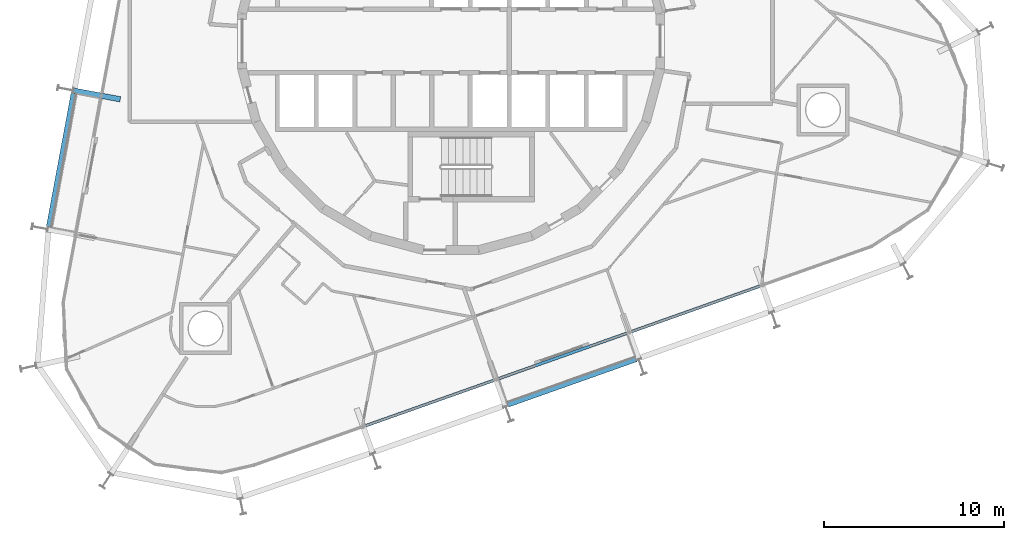
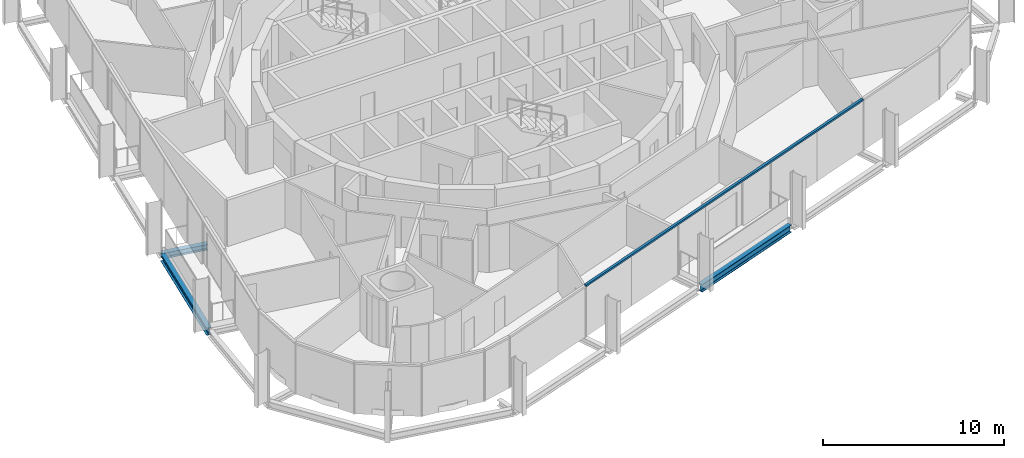
# One storey, part 3 of 17: 3 beams, 1 member, 1 element without a shape of its own.
"""IFC4 building model written with IfcOpenShell, lengths in metres."""

from ifc_helpers import new_model, si_unit, direction, frame, origin, origin_2d, place, context, subcontext, project, spatial, rectangle, i_section, extrude, material, layer, layer_set, material_profile, profile_set, type_object, element, aggregate, save


model = new_model("IFC4")

# Units and contexts
model_context = context("Model", 3, precision=1e-05, world=origin(), true_north=direction((0.0, 1.0)))
body_context = subcontext(model_context, "Body", "Model", "MODEL_VIEW")
ifc_project = project(units=[si_unit("LENGTHUNIT", "METRE"), si_unit("AREAUNIT", "SQUARE_METRE"), si_unit("VOLUMEUNIT", "CUBIC_METRE"), si_unit("PLANEANGLEUNIT", "RADIAN"), si_unit("MASSUNIT", "GRAM", prefix="KILO")], contexts=[model_context])

# Site, building, storey
site_placement = place(None, origin())
site = spatial("IfcSite", under=ifc_project, at=site_placement, CompositionType="ELEMENT")
building_placement = place(site_placement, origin())
building = spatial("IfcBuilding", under=site, at=building_placement, Name="Spindle Arch Residences", CompositionType="ELEMENT")
storey_placement = place(building_placement, frame((0.0, 0.0, 155.199951171875)))
storey = spatial("IfcBuildingStorey", under=building, at=storey_placement, Name="L38", CompositionType="ELEMENT", Elevation=155.199951171875)

# Curtain wall, member
ifc_material_1 = material(Name="Aluminium bronze unitised frame with tinted glass", Category="aluminium")
ifc_layer = layer(ifc_material_1, 0.159912109375)
ifc_layer_set = layer_set([ifc_layer], Name="CW-C typical residential unitised wall")
curtain_wall_type = type_object("IfcCurtainWallType", Name="CW-C typical residential unitised wall", PredefinedType="NOTDEFINED", material=ifc_layer_set)
curtain_wall_placement = place(storey_placement, origin())
curtain_wall = element("IfcCurtainWall", 1, at=curtain_wall_placement, inside=storey, type_object=curtain_wall_type, Name="CW-C L38 run 6", PredefinedType="NOTDEFINED")
ifc_material_2 = material(Name="Aluminium bronze anodised transom", Category="aluminium")
ifc_material_profile_1 = material_profile(ifc_material_2, rectangle(XDim=0.159912109375, YDim=0.1201171875, at=origin_2d()), Name="TR 120x160")
ifc_profile_set_1 = profile_set([ifc_material_profile_1], Name="Aluminium bronze anodised transom")
member_type = type_object("IfcMemberType", Name="Bronze transom 120x160", PredefinedType="USERDEFINED", material=ifc_profile_set_1)
member_placement = place(storey_placement, frame((-4.87255859375, -21.470947265625, 3.06005859375), z_axis=(0.94264008639, 0.333810825963, 0.0), x_axis=(-0.333810825963, 0.94264008639, 0.0)))
member = element("IfcMember", 2, at=member_placement, type_object=member_type, Name="CW-C transom 00", ObjectType="TRANSOM", PredefinedType="USERDEFINED", context=body_context, shape_type="SweptSolid", body=[
    extrude(rectangle(XDim=0.159912109375, YDim=0.1201171875, at=origin_2d()), origin(), (0.0, 0.0, 1.0), 23.520263671875),
])
aggregate(curtain_wall, [member])

# Beams
ifc_material_3 = material(Name="Steel S460ML, intumescent coating R 120", Category="steel")
ifc_material_profile_2 = material_profile(ifc_material_3, i_section(OverallWidth=0.300048828125, OverallDepth=0.5, WebThickness=0.014404296875, FlangeThickness=0.028076171875, FilletRadius=0.027099609375, at=origin_2d()), Name="HEB 500")
ifc_profile_set_2 = profile_set([ifc_material_profile_2], Name="Steel S460ML, intumescent coating R 120")
beam_type_1 = type_object("IfcBeamType", Name="Exoskeleton edge beam HEB 500", PredefinedType="BEAM", material=ifc_profile_set_2)
for number, where, z_axis, x_axis, name in (
    (3, (-21.02294921875, -2.8974609375, -0.6298828125), (-0.182234195466, -0.983255154069, 0.0), (0.983255154069, -0.182234195466, 0.0), "Exoskeleton edge beam 16"),
    (4, (3.141845703125, -20.256103515625, -0.6298828125), (0.942633964352, 0.33382811333, 0.0), (-0.33382811333, 0.942633964352, 0.0), "Exoskeleton edge beam 22"),
):
    element("IfcBeam", number, at=place(storey_placement, frame(where, z_axis=z_axis, x_axis=x_axis)), inside=storey, type_object=beam_type_1, Name=name, PredefinedType="BEAM", context=body_context, shape_type="SweptSolid", body=[
        extrude(i_section(OverallWidth=0.300048828125, OverallDepth=0.5, WebThickness=0.014404296875, FlangeThickness=0.028076171875, FilletRadius=0.027099609375, at=origin_2d()), origin(), (0.0, 0.0, 1.0), 7.60009765625),
    ])
ifc_material_4 = material(Name="Steel S460ML, intumescent coating R 120", Category="steel")
ifc_material_profile_3 = material_profile(ifc_material_4, i_section(OverallWidth=0.300048828125, OverallDepth=0.389892578125, WebThickness=0.010986328125, FlangeThickness=0.01904296875, FilletRadius=0.027099609375, at=origin_2d()), Name="HEA 400")
ifc_profile_set_3 = profile_set([ifc_material_profile_3], Name="Steel S460ML, intumescent coating R 120")
beam_type_2 = type_object("IfcBeamType", Name="Floor outrigger HEA 400", PredefinedType="BEAM", material=ifc_profile_set_3)
beam_placement = place(storey_placement, frame((-21.03857421875, -2.76220703125, -0.574951171875), z_axis=(0.983253888741, -0.182241022482, 0.0), x_axis=(0.182241022482, 0.983253888741, 0.0)))
element("IfcBeam", 5, at=beam_placement, inside=storey, type_object=beam_type_2, Name="Floor outrigger 16", PredefinedType="BEAM", context=body_context, shape_type="SweptSolid", body=[
    extrude(i_section(OverallWidth=0.300048828125, OverallDepth=0.389892578125, WebThickness=0.010986328125, FlangeThickness=0.01904296875, FilletRadius=0.027099609375, at=origin_2d()), origin(), (0.0, 0.0, 1.0), 2.64990234375),
])

save(model, "model.ifc")
